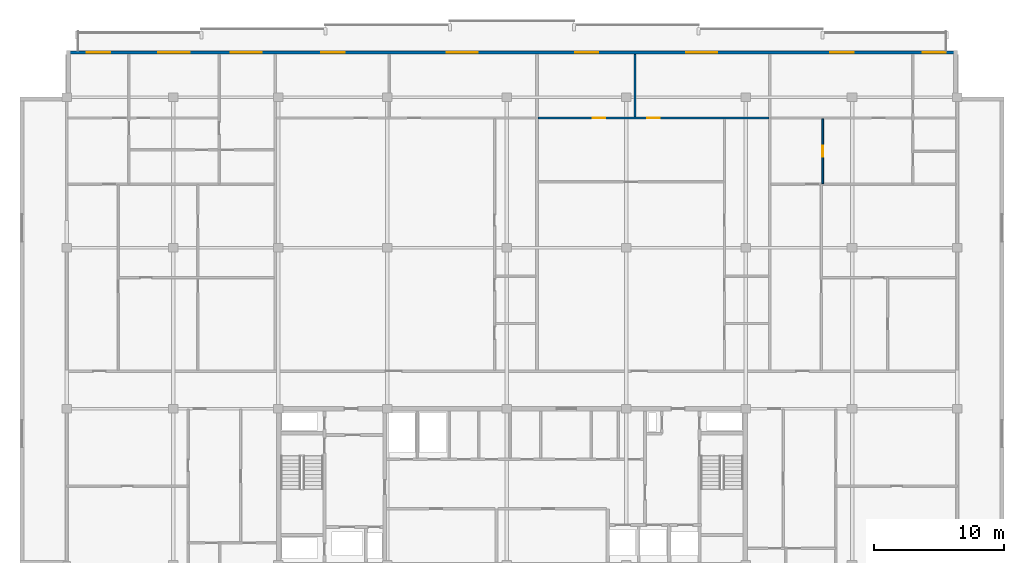
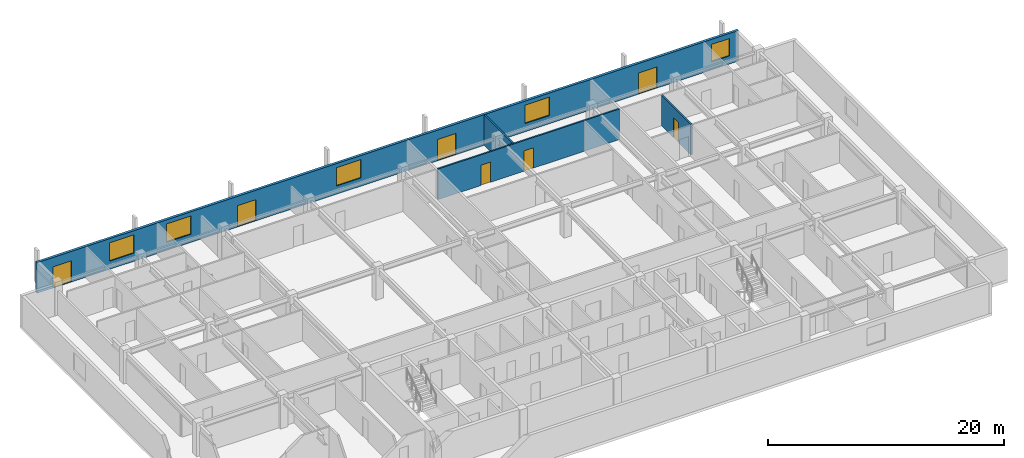
# One storey, part 7 of 10: 7 doors, 5 windows, 4 walls, 12 openings.
"""IFC4 building model written with IfcOpenShell, lengths in metres."""

import ifcopenshell
import ifcopenshell.guid

model = None  # the IFC model being written
_history = None  # IfcOwnerHistory: only IFC2X3 demands one
_inside = {}  # id of a spatial element -> (the spatial element, [elements in it])
_under = {}  # id of a project, library or spatial element -> (it, [spatial elements below it])
_declared = {}  # id of a project -> (the project, [libraries it declares])
_typed = {}  # id of a type object -> (the type object, [elements of that type])
_made_of = {}  # id of a material, layer set ... -> (it, [elements and type objects made of it])


def new_model(schema):
    """Start an empty IFC model of exactly this schema.

    Asked for "IFC4X3", IfcOpenShell would pick the latest addendum, in which some entities
    have other attributes; the version numbers below select the first issue.
    IFC2X3 requires an IfcOwnerHistory on every rooted entity: one is made here for all.
    """
    global model, _history
    if schema == "IFC4X3":
        model = ifcopenshell.file(schema_version=(4, 3, 0, 0))
    else:
        model = ifcopenshell.file(schema=schema)
    _inside.clear()
    _under.clear()
    _declared.clear()
    _typed.clear()
    _made_of.clear()
    _history = None
    if model.schema == "IFC2X3":
        org = make("IfcOrganization", Name="unknown")
        user = make(
            "IfcPersonAndOrganization",
            ThePerson=make("IfcPerson", FamilyName="unknown"),
            TheOrganization=org,
        )
        app = make(
            "IfcApplication",
            ApplicationDeveloper=org,
            Version="unknown",
            ApplicationFullName="unknown",
            ApplicationIdentifier="unknown",
        )
        _history = make(
            "IfcOwnerHistory",
            OwningUser=user,
            OwningApplication=app,
            ChangeAction="ADDED",
            CreationDate=0,
        )
    return model


def make(cls, **values):
    """One entity of the class cls with the attributes given. An attribute that is None is left unset."""
    return model.create_entity(
        cls, **{name: value for name, value in values.items() if value is not None}
    )


def rooted(cls, **values):
    """An entity with a GlobalId (a new one), such as an element, a storey or a relation."""
    return make(cls, GlobalId=ifcopenshell.guid.new(), OwnerHistory=_history, **values)


def si_unit(unit_type, name, prefix=None):
    """IfcSIUnit, for example si_unit("LENGTHUNIT", "METRE", prefix="MILLI")."""
    return make("IfcSIUnit", UnitType=unit_type, Prefix=prefix, Name=name)


def assignment(units):
    """IfcUnitAssignment: the units of a project."""
    return None if units is None else make("IfcUnitAssignment", Units=units)


def point(xyz):
    """IfcCartesianPoint."""
    return None if xyz is None else make("IfcCartesianPoint", Coordinates=xyz)


def direction(xyz):
    """IfcDirection."""
    return None if xyz is None else make("IfcDirection", DirectionRatios=xyz)


def frame(location, z_axis=None, x_axis=None):
    """IfcAxis2Placement3D, a coordinate frame: its origin and axes. An axis left out is left unset."""
    return make(
        "IfcAxis2Placement3D",
        Location=point(location),
        Axis=direction(z_axis),
        RefDirection=direction(x_axis),
    )


def frame_2d(location, x_axis=None):
    """IfcAxis2Placement2D, a coordinate frame in the plane: its origin and x axis."""
    return make(
        "IfcAxis2Placement2D", Location=point(location), RefDirection=direction(x_axis)
    )


def origin():
    """The frame at (0, 0, 0) with its axes left unset."""
    return frame((0.0, 0.0, 0.0))


def place(relative_to, where):
    """IfcLocalPlacement: puts the frame where relative to a parent placement (None: the world)."""
    return make(
        "IfcLocalPlacement", PlacementRelTo=relative_to, RelativePlacement=where
    )


def context(
    kind, dimensions, precision=None, world=None, true_north=None, identifier=None
):
    """IfcGeometricRepresentationContext, for example the 3D "Model" context."""
    return make(
        "IfcGeometricRepresentationContext",
        ContextIdentifier=identifier,
        ContextType=kind,
        CoordinateSpaceDimension=dimensions,
        Precision=precision,
        WorldCoordinateSystem=world,
        TrueNorth=true_north,
    )


def subcontext(parent, identifier, kind, view, scale=None):
    """IfcGeometricRepresentationSubContext, for example "Body" below "Model"."""
    return make(
        "IfcGeometricRepresentationSubContext",
        ContextIdentifier=identifier,
        ContextType=kind,
        ParentContext=parent,
        TargetScale=scale,
        TargetView=view,
    )


def project(units=None, contexts=None):
    """IfcProject with its units and contexts."""
    return rooted(
        "IfcProject",
        Name="project",
        RepresentationContexts=contexts,
        UnitsInContext=assignment(units),
    )


def spatial(cls, under=None, at=None, **own):
    """A site, building, storey or space (cls), placed at a placement, below another one or the project."""
    s = rooted(cls, ObjectPlacement=at, **own)
    if under is not None:
        _under.setdefault(under.id(), (under, []))[1].append(s)
    return s


def profile(cls, at=None, kind="AREA", **sizes):
    """A parametric profile (cls). Its sizes go by their IFC names, for example OverallWidth=200.0."""
    return make(cls, ProfileType=kind, Position=at, **sizes)


def rectangle(**sizes):
    """IfcRectangleProfileDef."""
    return profile("IfcRectangleProfileDef", **sizes)


def extrude(swept, where, along, depth):
    """IfcExtrudedAreaSolid: the profile swept, set in the frame where, extruded along a direction by depth."""
    return make(
        "IfcExtrudedAreaSolid",
        SweptArea=swept,
        Position=where,
        ExtrudedDirection=direction(along),
        Depth=depth,
    )


def shape(context_of_items, identifier, shape_type, items):
    """IfcShapeRepresentation: the items that make up one representation, for example the "Body"."""
    return make(
        "IfcShapeRepresentation",
        ContextOfItems=context_of_items,
        RepresentationIdentifier=identifier,
        RepresentationType=shape_type,
        Items=items,
    )


def material(Name=None, Category=None):
    """IfcMaterial."""
    return make("IfcMaterial", Name=Name, Category=Category)


def layer(
    of_material, thickness, ventilated=None, Name=None, Category=None, Priority=None
):
    """IfcMaterialLayer: one layer of a wall or slab, of a material (None: an air gap)."""
    return make(
        "IfcMaterialLayer",
        Material=of_material,
        LayerThickness=thickness,
        IsVentilated=ventilated,
        Name=Name,
        Category=Category,
        Priority=Priority,
    )


def layer_set(layers, Name=None):
    """IfcMaterialLayerSet."""
    return make("IfcMaterialLayerSet", MaterialLayers=layers, LayerSetName=Name)


def made_of(thing, what):
    """Note that an element or type object is made of a material, layer set ...; save() writes the relation."""
    if what is not None:
        _made_of.setdefault(what.id(), (what, []))[1].append(thing)
    return thing


def type_object(cls, material=None, **own):
    """A type object (cls), such as IfcWallType, which elements share."""
    return made_of(rooted(cls, **own), material)


def element(
    cls,
    number,
    at=None,
    inside=None,
    cuts=None,
    type_object=None,
    material=None,
    context=None,
    identifier="Body",
    shape_type=None,
    held_by="IfcProductDefinitionShape",
    body=None,
    shapes=None,
    **own,
):
    """One element of the class cls, such as IfcWall. Its Tag is "e" and its number.

    at: its placement. inside: the storey or other place that contains it. cuts: it is an
    opening in that element (IfcRelVoidsElement). A single representation is given by context,
    identifier, shape_type and body (its items); several are given by shapes. held_by: the class
    of the entity that holds the representations. save() writes the other relations.
    """
    e = rooted(cls, Tag="e%d" % number, ObjectPlacement=at, **own)
    if body is not None:
        shapes = [shape(context, identifier, shape_type, body)]
    if shapes is not None:
        e.Representation = make(held_by, Representations=shapes)
    if inside is not None:
        _inside.setdefault(inside.id(), (inside, []))[1].append(e)
    if cuts is not None:
        rooted(
            "IfcRelVoidsElement", RelatingBuildingElement=cuts, RelatedOpeningElement=e
        )
    if type_object is not None:
        _typed.setdefault(type_object.id(), (type_object, []))[1].append(e)
    return made_of(e, material)


def fill(opening, filler):
    """IfcRelFillsElement: the door or window that sits in an opening."""
    return rooted(
        "IfcRelFillsElement",
        RelatingOpeningElement=opening,
        RelatedBuildingElement=filler,
    )


def aggregate(whole, parts):
    """IfcRelAggregates: a whole, such as a stair, and the parts it consists of."""
    return rooted("IfcRelAggregates", RelatingObject=whole, RelatedObjects=parts)


def save(model, path):
    """Write the relations noted so far, then the file.

    IfcRelAggregates (storeys below a building ...), IfcRelContainedInSpatialStructure (elements
    in a storey), IfcRelDefinesByType, IfcRelAssociatesMaterial and IfcRelDeclares: one each for
    every whole, place, type object, material and project.
    """
    for whole, parts in _under.values():
        aggregate(whole, parts)
    for where, things in _inside.values():
        rooted(
            "IfcRelContainedInSpatialStructure",
            RelatedElements=things,
            RelatingStructure=where,
        )
    for kind, things in _typed.values():
        rooted("IfcRelDefinesByType", RelatedObjects=things, RelatingType=kind)
    for what, things in _made_of.values():
        rooted("IfcRelAssociatesMaterial", RelatedObjects=things, RelatingMaterial=what)
    for by, libraries in _declared.values():
        rooted("IfcRelDeclares", RelatingContext=by, RelatedDefinitions=libraries)
    model.write(path)


model = new_model("IFC4")

# Units and contexts
model_context = context("Model", 3, precision=1e-05, world=origin(), true_north=direction((0.0, 1.0)))
body_context = subcontext(model_context, "Body", "Model", "MODEL_VIEW")
ifc_project = project(units=[si_unit("LENGTHUNIT", "METRE"), si_unit("AREAUNIT", "SQUARE_METRE"), si_unit("VOLUMEUNIT", "CUBIC_METRE"), si_unit("PLANEANGLEUNIT", "RADIAN"), si_unit("MASSUNIT", "GRAM", prefix="KILO")], contexts=[model_context])

# Site, building, storey
site_placement = place(None, origin())
site = spatial("IfcSite", under=ifc_project, at=site_placement, CompositionType="ELEMENT")
building_placement = place(site_placement, origin())
building = spatial("IfcBuilding", under=site, at=building_placement, Name="Korimba Cascade Residences", CompositionType="ELEMENT")
storey_placement = place(building_placement, frame((0.0, 0.0, 242.449951171875)))
storey = spatial("IfcBuildingStorey", under=building, at=storey_placement, Name="L70", CompositionType="ELEMENT", Elevation=242.449951171875)

# Wall, openings, doors, windows
ifc_material_1 = material(Name="Precast concrete C40/50", Category="concrete")
ifc_layer_1 = layer(ifc_material_1, 0.25)
ifc_layer_set_1 = layer_set([ifc_layer_1], Name="Precast concrete C40/50")
wall_type_1 = type_object("IfcWallType", Name="EW-LOG-250", PredefinedType="STANDARD", material=ifc_layer_set_1)
wall_1_placement = place(storey_placement, frame((128.39990234375, 94.64990234375, 0.0), z_axis=(0.0, 0.0, 1.0), x_axis=(-1.0, 0.0, 0.0)))
wall_1 = element("IfcWall", 1, at=wall_1_placement, inside=storey, type_object=wall_type_1, Name="L70 T1 Perimeter Stone Wall E06", PredefinedType="STANDARD", context=body_context, shape_type="SweptSolid", body=[
    extrude(rectangle(XDim=68.599853515625, YDim=0.25, at=frame_2d((34.2998046875, 0.0))), origin(), (0.0, 0.0, 1.0), 3.170166015625),
])
opening_1_placement = place(wall_1_placement, frame((59.137451171875, 0.0, 0.85009765625)))
opening_1 = element("IfcOpeningElement", 2, at=opening_1_placement, cuts=wall_1, Name="Opening W-01", PredefinedType="OPENING", context=body_context, shape_type="SweptSolid", body=[
    extrude(rectangle(XDim=2.39990234375, YDim=1.89990234375, at=frame_2d((1.199951171875, 0.949951171875))), frame((0.0, 0.135009765625, 0.0), z_axis=(0.0, -1.0, 0.0), x_axis=(1.0, 0.0, 0.0)), (0.0, 0.0, 1.0), 0.27001953125),
])
opening_2_placement = place(wall_1_placement, frame((65.2451171875, 0.0, 0.0)))
opening_2 = element("IfcOpeningElement", 3, at=opening_2_placement, cuts=wall_1, Name="Opening D-LG1", PredefinedType="OPENING", context=body_context, shape_type="SweptSolid", body=[
    extrude(rectangle(XDim=1.800048828125, YDim=2.199951171875, at=frame_2d((0.89990234375, 1.10009765625))), frame((0.0, 0.135009765625, 0.0), z_axis=(0.0, -1.0, 0.0), x_axis=(1.0, 0.0, 0.0)), (0.0, 0.0, 1.0), 0.27001953125),
])
opening_3_placement = place(wall_1_placement, frame((53.559814453125, 0.0, 0.85009765625)))
opening_3 = element("IfcOpeningElement", 4, at=opening_3_placement, cuts=wall_1, Name="Opening W-01", PredefinedType="OPENING", context=body_context, shape_type="SweptSolid", body=[
    extrude(rectangle(XDim=2.39990234375, YDim=1.89990234375, at=frame_2d((1.199951171875, 0.949951171875))), frame((0.0, 0.135009765625, 0.0), z_axis=(0.0, -1.0, 0.0), x_axis=(1.0, 0.0, 0.0)), (0.0, 0.0, 1.0), 0.27001953125),
])
opening_4_placement = place(wall_1_placement, frame((47.1875, 0.0, 0.0)))
opening_4 = element("IfcOpeningElement", 5, at=opening_4_placement, cuts=wall_1, Name="Opening D-LG1", PredefinedType="OPENING", context=body_context, shape_type="SweptSolid", body=[
    extrude(rectangle(XDim=1.800048828125, YDim=2.199951171875, at=frame_2d((0.89990234375, 1.10009765625))), frame((0.0, 0.135009765625, 0.0), z_axis=(0.0, -1.0, 0.0), x_axis=(1.0, 0.0, 0.0)), (0.0, 0.0, 1.0), 0.27001953125),
])
opening_5_placement = place(wall_1_placement, frame((36.927978515625, 0.0, 0.85009765625)))
opening_5 = element("IfcOpeningElement", 6, at=opening_5_placement, cuts=wall_1, Name="Opening W-01", PredefinedType="OPENING", context=body_context, shape_type="SweptSolid", body=[
    extrude(rectangle(XDim=2.39990234375, YDim=1.89990234375, at=frame_2d((1.199951171875, 0.949951171875))), frame((0.0, 0.135009765625, 0.0), z_axis=(0.0, -1.0, 0.0), x_axis=(1.0, 0.0, 0.0)), (0.0, 0.0, 1.0), 0.27001953125),
])
opening_6_placement = place(wall_1_placement, frame((27.6396484375, 0.0, 0.0)))
opening_6 = element("IfcOpeningElement", 7, at=opening_6_placement, cuts=wall_1, Name="Opening D-LG1", PredefinedType="OPENING", context=body_context, shape_type="SweptSolid", body=[
    extrude(rectangle(XDim=1.800048828125, YDim=2.199951171875, at=frame_2d((0.89990234375, 1.10009765625))), frame((0.0, 0.135009765625, 0.0), z_axis=(0.0, -1.0, 0.0), x_axis=(1.0, 0.0, 0.0)), (0.0, 0.0, 1.0), 0.27001953125),
])
opening_7_placement = place(wall_1_placement, frame((18.4873046875, 0.0, 0.85009765625)))
opening_7 = element("IfcOpeningElement", 8, at=opening_7_placement, cuts=wall_1, Name="Opening W-01", PredefinedType="OPENING", context=body_context, shape_type="SweptSolid", body=[
    extrude(rectangle(XDim=2.39990234375, YDim=1.89990234375, at=frame_2d((1.199951171875, 0.949951171875))), frame((0.0, 0.135009765625, 0.0), z_axis=(0.0, -1.0, 0.0), x_axis=(1.0, 0.0, 0.0)), (0.0, 0.0, 1.0), 0.27001953125),
])
opening_8_placement = place(wall_1_placement, frame((7.965576171875, 0.0, 0.0)))
opening_8 = element("IfcOpeningElement", 9, at=opening_8_placement, cuts=wall_1, Name="Opening D-LG1", PredefinedType="OPENING", context=body_context, shape_type="SweptSolid", body=[
    extrude(rectangle(XDim=1.800048828125, YDim=2.199951171875, at=frame_2d((0.89990234375, 1.10009765625))), frame((0.0, 0.135009765625, 0.0), z_axis=(0.0, -1.0, 0.0), x_axis=(1.0, 0.0, 0.0)), (0.0, 0.0, 1.0), 0.27001953125),
])
opening_9_placement = place(wall_1_placement, frame((0.8701171875, 0.0, 0.85009765625)))
opening_9 = element("IfcOpeningElement", 10, at=opening_9_placement, cuts=wall_1, Name="Opening W-02", PredefinedType="OPENING", context=body_context, shape_type="SweptSolid", body=[
    extrude(rectangle(XDim=1.800048828125, YDim=1.800048828125, at=frame_2d((0.89990234375, 0.89990234375))), frame((0.0, 0.135009765625, 0.0), z_axis=(0.0, -1.0, 0.0), x_axis=(1.0, 0.0, 0.0)), (0.0, 0.0, 1.0), 0.27001953125),
])
ifc_material_2 = material(Name="Glazed Aluminium Loggia Sliding Door", Category="aluminium")
door_type_1 = type_object("IfcDoorType", Name="DR-EXT-LOG", OperationType="NOTDEFINED", PredefinedType="DOOR", material=ifc_material_2)
door_1_placement = place(opening_2_placement, origin())
door_1 = element("IfcDoor", 11, at=door_1_placement, inside=storey, type_object=door_type_1, Name="L70 T1 Loggia Sliding Door 4", OperationType="SLIDING_TO_LEFT", OverallHeight=2.199951171875, OverallWidth=1.800048828125, PredefinedType="DOOR", context=body_context, shape_type="SweptSolid", body=[
    extrude(rectangle(XDim=1.800048828125, YDim=2.199951171875, at=frame_2d((0.89990234375, 1.10009765625))), frame((0.0, 0.02490234375, 0.0), z_axis=(0.0, -1.0, 0.0), x_axis=(1.0, 0.0, 0.0)), (0.0, 0.0, 1.0), 0.050048828125),
])
fill(opening_2, door_1)
door_2_placement = place(opening_4_placement, origin())
door_2 = element("IfcDoor", 12, at=door_2_placement, inside=storey, type_object=door_type_1, Name="L70 T1 Loggia Sliding Door 6", OperationType="SLIDING_TO_LEFT", OverallHeight=2.199951171875, OverallWidth=1.800048828125, PredefinedType="DOOR", context=body_context, shape_type="SweptSolid", body=[
    extrude(rectangle(XDim=1.800048828125, YDim=2.199951171875, at=frame_2d((0.89990234375, 1.10009765625))), frame((0.0, 0.02490234375, 0.0), z_axis=(0.0, -1.0, 0.0), x_axis=(1.0, 0.0, 0.0)), (0.0, 0.0, 1.0), 0.050048828125),
])
fill(opening_4, door_2)
door_3_placement = place(opening_6_placement, origin())
door_3 = element("IfcDoor", 13, at=door_3_placement, inside=storey, type_object=door_type_1, Name="L70 T1 Loggia Sliding Door 8", OperationType="SLIDING_TO_LEFT", OverallHeight=2.199951171875, OverallWidth=1.800048828125, PredefinedType="DOOR", context=body_context, shape_type="SweptSolid", body=[
    extrude(rectangle(XDim=1.800048828125, YDim=2.199951171875, at=frame_2d((0.89990234375, 1.10009765625))), frame((0.0, 0.02490234375, 0.0), z_axis=(0.0, -1.0, 0.0), x_axis=(1.0, 0.0, 0.0)), (0.0, 0.0, 1.0), 0.050048828125),
])
fill(opening_6, door_3)
door_4_placement = place(opening_8_placement, origin())
door_4 = element("IfcDoor", 14, at=door_4_placement, inside=storey, type_object=door_type_1, Name="L70 T1 Loggia Sliding Door 10", OperationType="SLIDING_TO_LEFT", OverallHeight=2.199951171875, OverallWidth=1.800048828125, PredefinedType="DOOR", context=body_context, shape_type="SweptSolid", body=[
    extrude(rectangle(XDim=1.800048828125, YDim=2.199951171875, at=frame_2d((0.89990234375, 1.10009765625))), frame((0.0, 0.02490234375, 0.0), z_axis=(0.0, -1.0, 0.0), x_axis=(1.0, 0.0, 0.0)), (0.0, 0.0, 1.0), 0.050048828125),
])
fill(opening_8, door_4)
ifc_material_3 = material(Name="Double-Glazed Aluminium Window", Category="aluminium")
window_type_1 = type_object("IfcWindowType", Name="WIN-BED-1800", PartitioningType="SINGLE_PANEL", PredefinedType="WINDOW", material=ifc_material_3)
window_1_placement = place(opening_9_placement, origin())
window_1 = element("IfcWindow", 15, at=window_1_placement, inside=storey, type_object=window_type_1, Name="L70 T1 North Facade Window 11", OverallHeight=1.800048828125, OverallWidth=1.800048828125, PartitioningType="SINGLE_PANEL", PredefinedType="WINDOW", context=body_context, shape_type="SweptSolid", body=[
    extrude(rectangle(XDim=1.800048828125, YDim=1.800048828125, at=frame_2d((0.89990234375, 0.89990234375))), frame((0.0, 0.030029296875, 0.0), z_axis=(0.0, -1.0, 0.0), x_axis=(1.0, 0.0, 0.0)), (0.0, 0.0, 1.0), 0.06005859375),
])
fill(opening_9, window_1)
window_type_2 = type_object("IfcWindowType", Name="WIN-RES-2400", PartitioningType="DOUBLE_PANEL_VERTICAL", PredefinedType="WINDOW", material=ifc_material_3)
window_2_placement = place(opening_1_placement, origin())
window_2 = element("IfcWindow", 16, at=window_2_placement, inside=storey, type_object=window_type_2, Name="L70 T1 North Facade Window 3", OverallHeight=1.89990234375, OverallWidth=2.39990234375, PartitioningType="DOUBLE_PANEL_VERTICAL", PredefinedType="WINDOW", context=body_context, shape_type="SweptSolid", body=[
    extrude(rectangle(XDim=2.39990234375, YDim=1.89990234375, at=frame_2d((1.199951171875, 0.949951171875))), frame((0.0, 0.030029296875, 0.0), z_axis=(0.0, -1.0, 0.0), x_axis=(1.0, 0.0, 0.0)), (0.0, 0.0, 1.0), 0.06005859375),
])
fill(opening_1, window_2)
window_3_placement = place(opening_3_placement, origin())
window_3 = element("IfcWindow", 17, at=window_3_placement, inside=storey, type_object=window_type_2, Name="L70 T1 North Facade Window 5", OverallHeight=1.89990234375, OverallWidth=2.39990234375, PartitioningType="DOUBLE_PANEL_VERTICAL", PredefinedType="WINDOW", context=body_context, shape_type="SweptSolid", body=[
    extrude(rectangle(XDim=2.39990234375, YDim=1.89990234375, at=frame_2d((1.199951171875, 0.949951171875))), frame((0.0, 0.030029296875, 0.0), z_axis=(0.0, -1.0, 0.0), x_axis=(1.0, 0.0, 0.0)), (0.0, 0.0, 1.0), 0.06005859375),
])
fill(opening_3, window_3)
window_4_placement = place(opening_5_placement, origin())
window_4 = element("IfcWindow", 18, at=window_4_placement, inside=storey, type_object=window_type_2, Name="L70 T1 North Facade Window 7", OverallHeight=1.89990234375, OverallWidth=2.39990234375, PartitioningType="DOUBLE_PANEL_VERTICAL", PredefinedType="WINDOW", context=body_context, shape_type="SweptSolid", body=[
    extrude(rectangle(XDim=2.39990234375, YDim=1.89990234375, at=frame_2d((1.199951171875, 0.949951171875))), frame((0.0, 0.030029296875, 0.0), z_axis=(0.0, -1.0, 0.0), x_axis=(1.0, 0.0, 0.0)), (0.0, 0.0, 1.0), 0.06005859375),
])
fill(opening_5, window_4)
window_5_placement = place(opening_7_placement, origin())
window_5 = element("IfcWindow", 19, at=window_5_placement, inside=storey, type_object=window_type_2, Name="L70 T1 North Facade Window 9", OverallHeight=1.89990234375, OverallWidth=2.39990234375, PartitioningType="DOUBLE_PANEL_VERTICAL", PredefinedType="WINDOW", context=body_context, shape_type="SweptSolid", body=[
    extrude(rectangle(XDim=2.39990234375, YDim=1.89990234375, at=frame_2d((1.199951171875, 0.949951171875))), frame((0.0, 0.030029296875, 0.0), z_axis=(0.0, -1.0, 0.0), x_axis=(1.0, 0.0, 0.0)), (0.0, 0.0, 1.0), 0.06005859375),
])
fill(opening_7, window_5)

# Wall
ifc_material_4 = material(Name="Insulated Acoustic Stud Partition", Category="gypsum")
ifc_layer_2 = layer(ifc_material_4, 0.14990234375)
ifc_layer_set_2 = layer_set([ifc_layer_2], Name="Insulated Acoustic Stud Partition")
wall_type_2 = type_object("IfcWallType", Name="WAL-PART-150", PredefinedType="PARTITIONING", material=ifc_layer_set_2)
wall_2_placement = place(storey_placement, frame((103.576416015625, 89.679931640625, 0.0), z_axis=(0.0, 0.0, 1.0), x_axis=(0.0, 1.0, 0.0)))
element("IfcWall", 20, at=wall_2_placement, inside=storey, type_object=wall_type_2, Name="L70 Partition Wall WAL-L70-T1-U03-OUTV", PredefinedType="PARTITIONING", context=body_context, shape_type="SweptSolid", body=[
    extrude(rectangle(XDim=4.820068359375, YDim=0.14990234375, at=frame_2d((2.41015625, 0.0))), origin(), (0.0, 0.0, 1.0), 3.170166015625),
])

# Wall, openings, doors
wall_3_placement = place(storey_placement, frame((96.104248046875, 89.60009765625, 0.0), z_axis=(0.0, 0.0, 1.0), x_axis=(1.0, 0.0, 0.0)))
wall_3 = element("IfcWall", 21, at=wall_3_placement, inside=storey, type_object=wall_type_2, Name="L70 Partition Wall WAL-L70-T1-U03-HZ", PredefinedType="PARTITIONING", context=body_context, shape_type="SweptSolid", body=[
    extrude(rectangle(XDim=17.78466796875, YDim=0.14990234375, at=frame_2d((8.892333984375, 0.0))), origin(), (0.0, 0.0, 1.0), 3.170166015625),
])
opening_10_placement = place(wall_3_placement, frame((4.231201171875, 0.0, 0.0)))
opening_10 = element("IfcOpeningElement", 22, at=opening_10_placement, cuts=wall_3, Name="Opening D-IN0", PredefinedType="OPENING", context=body_context, shape_type="SweptSolid", body=[
    extrude(rectangle(XDim=0.93994140625, YDim=2.10009765625, at=frame_2d((0.469970703125, 1.050048828125))), frame((0.0, 0.0849609375, 0.0), z_axis=(0.0, -1.0, 0.0), x_axis=(1.0, 0.0, 0.0)), (0.0, 0.0, 1.0), 0.169921875),
])
opening_11_placement = place(wall_3_placement, frame((8.42236328125, 0.0, 0.0)))
opening_11 = element("IfcOpeningElement", 23, at=opening_11_placement, cuts=wall_3, Name="Opening D-IN0", PredefinedType="OPENING", context=body_context, shape_type="SweptSolid", body=[
    extrude(rectangle(XDim=0.93994140625, YDim=2.10009765625, at=frame_2d((0.469970703125, 1.050048828125))), frame((0.0, 0.0849609375, 0.0), z_axis=(0.0, -1.0, 0.0), x_axis=(1.0, 0.0, 0.0)), (0.0, 0.0, 1.0), 0.169921875),
])
ifc_material_5 = material(Name="Acoustic Timber Living Archway Door", Category="wood")
door_type_2 = type_object("IfcDoorType", Name="DR-INT-950", OperationType="NOTDEFINED", PredefinedType="DOOR", material=ifc_material_5)
door_5_placement = place(opening_10_placement, origin())
door_5 = element("IfcDoor", 24, at=door_5_placement, inside=storey, type_object=door_type_2, Name="L70-T1-U03 Hydrotherapy Wellness Clinic Door", OperationType="SINGLE_SWING_RIGHT", OverallHeight=2.10009765625, OverallWidth=0.93994140625, PredefinedType="DOOR", context=body_context, shape_type="SweptSolid", body=[
    extrude(rectangle(XDim=0.93994140625, YDim=2.10009765625, at=frame_2d((0.469970703125, 1.050048828125))), frame((0.0, 0.02490234375, 0.0), z_axis=(0.0, -1.0, 0.0), x_axis=(1.0, 0.0, 0.0)), (0.0, 0.0, 1.0), 0.050048828125),
])
fill(opening_10, door_5)
door_6_placement = place(opening_11_placement, origin())
door_6 = element("IfcDoor", 25, at=door_6_placement, inside=storey, type_object=door_type_2, Name="L70-T1-U03 Physiotherapy Treatment Room Door", OperationType="SINGLE_SWING_LEFT", OverallHeight=2.10009765625, OverallWidth=0.93994140625, PredefinedType="DOOR", context=body_context, shape_type="SweptSolid", body=[
    extrude(rectangle(XDim=0.93994140625, YDim=2.10009765625, at=frame_2d((0.469970703125, 1.050048828125))), frame((0.0, 0.02490234375, 0.0), z_axis=(0.0, -1.0, 0.0), x_axis=(1.0, 0.0, 0.0)), (0.0, 0.0, 1.0), 0.050048828125),
])
fill(opening_11, door_6)

# Wall, opening, door
wall_4_placement = place(storey_placement, frame((118.038818359375, 84.5400390625, 0.0), z_axis=(0.0, 0.0, 1.0), x_axis=(0.0, 1.0, 0.0)))
wall_4 = element("IfcWall", 26, at=wall_4_placement, inside=storey, type_object=wall_type_2, Name="L70 Partition Wall WAL-L70-T1-U04-VDIN", PredefinedType="PARTITIONING", context=body_context, shape_type="SweptSolid", body=[
    extrude(rectangle(XDim=5.0, YDim=0.14990234375, at=frame_2d((2.5, 0.0))), origin(), (0.0, 0.0, 1.0), 3.170166015625),
])
opening_12_placement = place(wall_4_placement, frame((2.06005859375, 0.0, 0.0)))
opening_12 = element("IfcOpeningElement", 27, at=opening_12_placement, cuts=wall_4, Name="Opening D-IN2", PredefinedType="OPENING", context=body_context, shape_type="SweptSolid", body=[
    extrude(rectangle(XDim=0.8798828125, YDim=2.06005859375, at=frame_2d((0.43994140625, 1.030029296875))), frame((0.0, 0.0849609375, 0.0), z_axis=(0.0, -1.0, 0.0), x_axis=(1.0, 0.0, 0.0)), (0.0, 0.0, 1.0), 0.169921875),
])
ifc_material_6 = material(Name="Acoustic Timber Bedroom Door", Category="wood")
door_type_3 = type_object("IfcDoorType", Name="DR-INT-880", OperationType="NOTDEFINED", PredefinedType="DOOR", material=ifc_material_6)
door_7_placement = place(opening_12_placement, origin())
door_7 = element("IfcDoor", 28, at=door_7_placement, inside=storey, type_object=door_type_3, Name="L70-T1-U04 Dining Room Door", OperationType="SINGLE_SWING_LEFT", OverallHeight=2.06005859375, OverallWidth=0.8798828125, PredefinedType="DOOR", context=body_context, shape_type="SweptSolid", body=[
    extrude(rectangle(XDim=0.8798828125, YDim=2.06005859375, at=frame_2d((0.43994140625, 1.030029296875))), frame((0.0, 0.02490234375, 0.0), z_axis=(0.0, -1.0, 0.0), x_axis=(1.0, 0.0, 0.0)), (0.0, 0.0, 1.0), 0.050048828125),
])
fill(opening_12, door_7)

save(model, "model.ifc")
